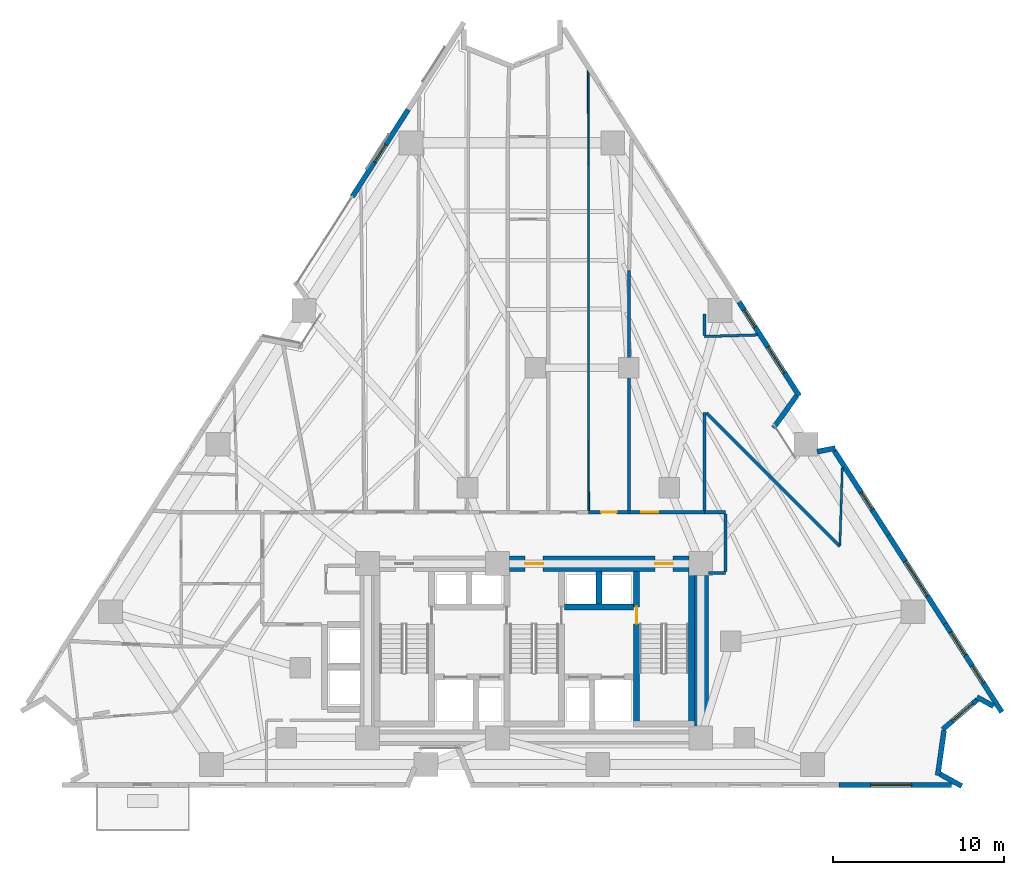
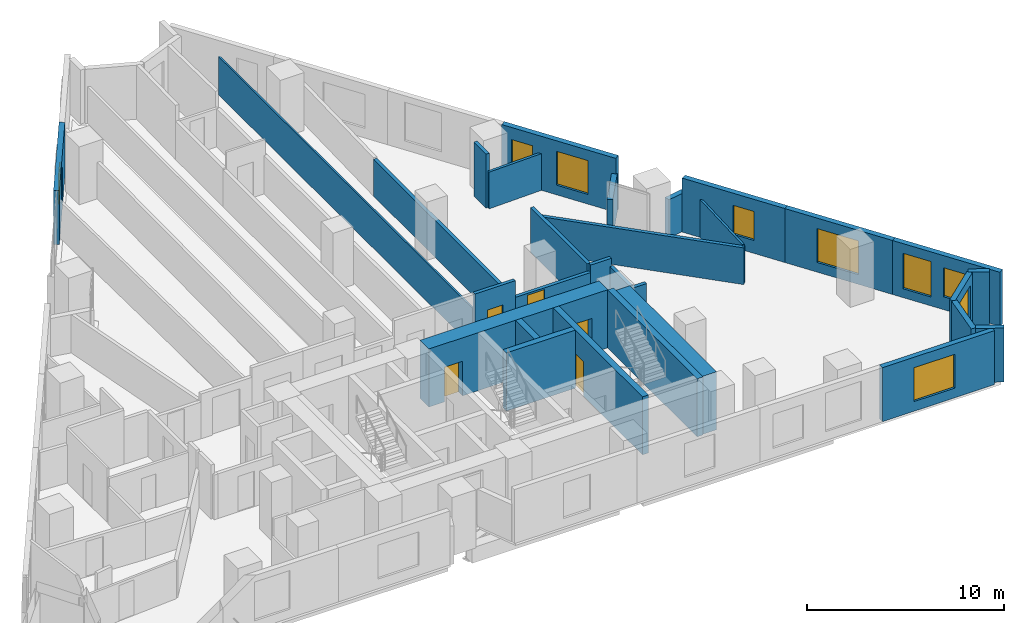
# One storey, part 10 of 15: 30 walls, 9 windows, 5 doors, 14 openings.
"""IFC4 building model written with IfcOpenShell, lengths in metres."""

from ifc_helpers import new_model, si_unit, direction, frame, frame_2d, origin, place, context, subcontext, project, spatial, rectangle, extrude, material, layer, layer_set, type_object, element, fill, save


model = new_model("IFC4")

# Units and contexts
model_context = context("Model", 3, precision=1e-05, world=origin(), true_north=direction((0.0, 1.0)))
body_context = subcontext(model_context, "Body", "Model", "MODEL_VIEW")
ifc_project = project(units=[si_unit("LENGTHUNIT", "METRE"), si_unit("AREAUNIT", "SQUARE_METRE"), si_unit("VOLUMEUNIT", "CUBIC_METRE"), si_unit("PLANEANGLEUNIT", "RADIAN"), si_unit("MASSUNIT", "GRAM", prefix="KILO")], contexts=[model_context])

# Site, building, storey
site_placement = place(None, origin())
site = spatial("IfcSite", under=ifc_project, at=site_placement, CompositionType="ELEMENT")
building_placement = place(site_placement, origin())
building = spatial("IfcBuilding", under=site, at=building_placement, Name="Almagre Mirador Tower", CompositionType="ELEMENT")
storey_placement = place(building_placement, frame((0.0, 0.0, 39.0)))
storey = spatial("IfcBuildingStorey", under=building, at=storey_placement, Name="L08", CompositionType="ELEMENT", Elevation=39.0)

# Wall, opening, window
ifc_material_1 = material(Name="Precast concrete C50/60", Category="concrete")
ifc_layer_1 = layer(ifc_material_1, 0.300048828125)
ifc_layer_set_1 = layer_set([ifc_layer_1], Name="Precast concrete C50/60")
wall_type_1 = type_object("IfcWallType", Name="WAL-EXT-300", PredefinedType="SOLIDWALL", material=ifc_layer_set_1)
wall_1_placement = place(storey_placement, frame((26.65673828125, 36.219970703125, 0.0), z_axis=(0.0, 0.0, 1.0), x_axis=(0.539506453767, 0.841981464371, 0.0)))
wall_1 = element("IfcWall", 1, at=wall_1_placement, inside=storey, type_object=wall_type_1, Name="L08 expressed almagre precast frame wall 03", PredefinedType="SOLIDWALL", context=body_context, shape_type="SweptSolid", body=[
    extrude(rectangle(XDim=6.058349609375, YDim=0.300048828125, at=frame_2d((3.029296875, 0.0))), origin(), (0.0, 0.0, 1.0), 3.35009765625),
])
opening_1_placement = place(wall_1_placement, frame((2.425048828125, 0.0, 0.800048828125)))
opening_1 = element("IfcOpeningElement", 2, at=opening_1_placement, cuts=wall_1, Name="Opening WN-04", PredefinedType="OPENING", context=body_context, shape_type="SweptSolid", body=[
    extrude(rectangle(XDim=1.199951171875, YDim=1.800048828125, at=frame_2d((0.60009765625, 0.89990234375))), frame((0.0, 0.159902, 0.0), z_axis=(0.0, -1.0, 0.0), x_axis=(1.0, 0.0, 0.0)), (0.0, 0.0, 1.0), 0.320049),
])
ifc_material_2 = material(Name="Dark solar-control laminated hurricane glass", Category="glass")
window_type_1 = type_object("IfcWindowType", Name="WIN-1200X1800", PartitioningType="SINGLE_PANEL", PredefinedType="WINDOW", material=ifc_material_2)
window_1_placement = place(opening_1_placement, origin())
window_1 = element("IfcWindow", 3, at=window_1_placement, inside=storey, type_object=window_type_1, Name="L08 recessed hurricane window L08-RST-K", OverallHeight=1.800048828125, OverallWidth=1.199951171875, PartitioningType="SINGLE_PANEL", PredefinedType="WINDOW", context=body_context, shape_type="SweptSolid", body=[
    extrude(rectangle(XDim=1.199951171875, YDim=1.800048828125, at=frame_2d((0.60009765625, 0.89990234375))), frame((0.0, 0.030029296875, 0.0), z_axis=(0.0, -1.0, 0.0), x_axis=(1.0, 0.0, 0.0)), (0.0, 0.0, 1.0), 0.06005859375),
])
fill(opening_1, window_1)

# Wall, openings, windows
wall_2_placement = place(storey_placement, frame((49.292724609375, 30.056640625, 0.0), z_axis=(0.0, 0.0, 1.0), x_axis=(0.539509050887, -0.84197980024, 0.0)))
wall_2 = element("IfcWall", 4, at=wall_2_placement, inside=storey, type_object=wall_type_1, Name="L08 expressed almagre precast frame wall 12", PredefinedType="SOLIDWALL", context=body_context, shape_type="SweptSolid", body=[
    extrude(rectangle(XDim=6.52587890625, YDim=0.300048828125, at=frame_2d((3.262939453125, 0.0))), origin(), (0.0, 0.0, 1.0), 3.35009765625),
])
opening_2_placement = place(wall_2_placement, frame((3.125, 0.0, 0.60009765625)))
opening_2 = element("IfcOpeningElement", 5, at=opening_2_placement, cuts=wall_2, Name="Opening WN-01", PredefinedType="OPENING", context=body_context, shape_type="SweptSolid", body=[
    extrude(rectangle(XDim=1.800048828125, YDim=2.10009765625, at=frame_2d((0.89990234375, 1.050048828125))), frame((0.0, 0.159902, 0.0), z_axis=(0.0, -1.0, 0.0), x_axis=(1.0, 0.0, 0.0)), (0.0, 0.0, 1.0), 0.320049),
])
opening_3_placement = place(wall_2_placement, frame((0.550048828125, 0.0, 0.800048828125)))
opening_3 = element("IfcOpeningElement", 6, at=opening_3_placement, cuts=wall_2, Name="Opening WN-04", PredefinedType="OPENING", context=body_context, shape_type="SweptSolid", body=[
    extrude(rectangle(XDim=1.199951171875, YDim=1.800048828125, at=frame_2d((0.60009765625, 0.89990234375))), frame((0.0, 0.159902, 0.0), z_axis=(0.0, -1.0, 0.0), x_axis=(1.0, 0.0, 0.0)), (0.0, 0.0, 1.0), 0.320049),
])
window_2_placement = place(opening_3_placement, origin())
window_2 = element("IfcWindow", 7, at=window_2_placement, inside=storey, type_object=window_type_1, Name="L08 recessed hurricane window L08-UJ-BT", OverallHeight=1.800048828125, OverallWidth=1.199951171875, PartitioningType="SINGLE_PANEL", PredefinedType="WINDOW", context=body_context, shape_type="SweptSolid", body=[
    extrude(rectangle(XDim=1.199951171875, YDim=1.800048828125, at=frame_2d((0.60009765625, 0.89990234375))), frame((0.0, 0.030029296875, 0.0), z_axis=(0.0, -1.0, 0.0), x_axis=(1.0, 0.0, 0.0)), (0.0, 0.0, 1.0), 0.06005859375),
])
fill(opening_3, window_2)
ifc_material_3 = material(Name="Dark solar-control laminated hurricane glass", Category="glass")
window_type_2 = type_object("IfcWindowType", Name="WIN-1800X2100", PartitioningType="DOUBLE_PANEL_VERTICAL", PredefinedType="WINDOW", material=ifc_material_3)
window_3_placement = place(opening_2_placement, origin())
window_3 = element("IfcWindow", 8, at=window_3_placement, inside=storey, type_object=window_type_2, Name="L08 recessed hurricane window L08-UJ-ST", OverallHeight=2.10009765625, OverallWidth=1.800048828125, PartitioningType="SINGLE_PANEL", PredefinedType="WINDOW", context=body_context, shape_type="SweptSolid", body=[
    extrude(rectangle(XDim=1.800048828125, YDim=2.10009765625, at=frame_2d((0.89990234375, 1.050048828125))), frame((0.0, 0.030029296875, 0.0), z_axis=(0.0, -1.0, 0.0), x_axis=(1.0, 0.0, 0.0)), (0.0, 0.0, 1.0), 0.06005859375),
])
fill(opening_2, window_3)

# Walls
wall_3_placement = place(storey_placement, frame((52.656494140625, 24.566162109375, 0.0), z_axis=(0.0, 0.0, 1.0), x_axis=(-0.583053244013, -0.812433944789, 0.0)))
element("IfcWall", 9, at=wall_3_placement, inside=storey, type_object=wall_type_1, Name="L08 expressed almagre precast frame wall 13", PredefinedType="SOLIDWALL", context=body_context, shape_type="SweptSolid", body=[
    extrude(rectangle(XDim=2.31396484375, YDim=0.300048828125, at=frame_2d((1.156982421875, 0.0))), origin(), (0.0, 0.0, 1.0), 2.375),
])
wall_4_placement = place(storey_placement, frame((53.864013671875, 21.302001953125, 0.0), z_axis=(0.0, 0.0, 1.0), x_axis=(0.981752657473, 0.190162350493, 0.0)))
element("IfcWall", 10, at=wall_4_placement, inside=storey, type_object=wall_type_1, Name="L08 expressed almagre precast frame wall 14", PredefinedType="SOLIDWALL", context=body_context, shape_type="SweptSolid", body=[
    extrude(rectangle(XDim=1.0810546875, YDim=0.300048828125, at=frame_2d((0.54052734375, 0.0))), origin(), (0.0, 0.0, 1.0), 2.375),
])

# Wall, opening, window
wall_5_placement = place(storey_placement, frame((54.863525390625, 21.363037109375, 0.0), z_axis=(0.0, 0.0, 1.0), x_axis=(0.539525561028, -0.841969220932, 0.0)))
wall_5 = element("IfcWall", 11, at=wall_5_placement, inside=storey, type_object=wall_type_1, Name="L08 expressed almagre precast frame wall 15", PredefinedType="SOLIDWALL", context=body_context, shape_type="SweptSolid", body=[
    extrude(rectangle(XDim=5.871826171875, YDim=0.300048828125, at=frame_2d((2.93603515625, 0.0))), origin(), (0.0, 0.0, 1.0), 3.35009765625),
])
opening_4_placement = place(wall_5_placement, frame((2.89501953125, 0.0, 0.800048828125)))
opening_4 = element("IfcOpeningElement", 12, at=opening_4_placement, cuts=wall_5, Name="Opening WN-04", PredefinedType="OPENING", context=body_context, shape_type="SweptSolid", body=[
    extrude(rectangle(XDim=1.199951171875, YDim=1.800048828125, at=frame_2d((0.60009765625, 0.89990234375))), frame((0.0, 0.159902, 0.0), z_axis=(0.0, -1.0, 0.0), x_axis=(1.0, 0.0, 0.0)), (0.0, 0.0, 1.0), 0.320049),
])
window_4_placement = place(opening_4_placement, origin())
window_4 = element("IfcWindow", 13, at=window_4_placement, inside=storey, type_object=window_type_1, Name="L08 recessed hurricane window L08-UJ-KT", OverallHeight=1.800048828125, OverallWidth=1.199951171875, PartitioningType="SINGLE_PANEL", PredefinedType="WINDOW", context=body_context, shape_type="SweptSolid", body=[
    extrude(rectangle(XDim=1.199951171875, YDim=1.800048828125, at=frame_2d((0.60009765625, 0.89990234375))), frame((0.0, 0.030029296875, 0.0), z_axis=(0.0, -1.0, 0.0), x_axis=(1.0, 0.0, 0.0)), (0.0, 0.0, 1.0), 0.06005859375),
])
fill(opening_4, window_4)

wall_6_placement = place(storey_placement, frame((58.031494140625, 16.419189453125, 0.0), z_axis=(0.0, 0.0, 1.0), x_axis=(0.539543497538, -0.841957727125, 0.0)))
wall_6 = element("IfcWall", 14, at=wall_6_placement, inside=storey, type_object=wall_type_1, Name="L08 expressed almagre precast frame wall 16", PredefinedType="SOLIDWALL", context=body_context, shape_type="SweptSolid", body=[
    extrude(rectangle(XDim=6.151611328125, YDim=0.300048828125, at=frame_2d((3.07568359375, 0.0))), origin(), (0.0, 0.0, 1.0), 3.35009765625),
])
opening_5_placement = place(wall_6_placement, frame((1.824951171875, 0.0, 0.60009765625)))
opening_5 = element("IfcOpeningElement", 15, at=opening_5_placement, cuts=wall_6, Name="Opening WN-02", PredefinedType="OPENING", context=body_context, shape_type="SweptSolid", body=[
    extrude(rectangle(XDim=2.39990234375, YDim=2.10009765625, at=frame_2d((1.199951171875, 1.050048828125))), frame((0.0, 0.159902, 0.0), z_axis=(0.0, -1.0, 0.0), x_axis=(1.0, 0.0, 0.0)), (0.0, 0.0, 1.0), 0.320049),
])
ifc_material_4 = material(Name="Dark solar-control laminated hurricane glass", Category="glass")
window_type_3 = type_object("IfcWindowType", Name="WIN-2400X2100", PartitioningType="TRIPLE_PANEL_VERTICAL", PredefinedType="WINDOW", material=ifc_material_4)
window_5_placement = place(opening_5_placement, origin())
window_5 = element("IfcWindow", 16, at=window_5_placement, inside=storey, type_object=window_type_3, Name="L08 recessed hurricane window L08-UJ-KT", OverallHeight=2.10009765625, OverallWidth=2.39990234375, PartitioningType="SINGLE_PANEL", PredefinedType="WINDOW", context=body_context, shape_type="SweptSolid", body=[
    extrude(rectangle(XDim=2.39990234375, YDim=2.10009765625, at=frame_2d((1.199951171875, 1.050048828125))), frame((0.0, 0.030029296875, 0.0), z_axis=(0.0, -1.0, 0.0), x_axis=(1.0, 0.0, 0.0)), (0.0, 0.0, 1.0), 0.06005859375),
])
fill(opening_5, window_5)

# Wall, openings, windows
wall_7_placement = place(storey_placement, frame((61.3505859375, 11.23974609375, 0.0), z_axis=(0.0, 0.0, 1.0), x_axis=(0.539497334835, -0.841987307331, 0.0)))
wall_7 = element("IfcWall", 17, at=wall_7_placement, inside=storey, type_object=wall_type_1, Name="L08 expressed almagre precast frame wall 17", PredefinedType="SOLIDWALL", context=body_context, shape_type="SweptSolid", body=[
    extrude(rectangle(XDim=6.15185546875, YDim=0.300048828125, at=frame_2d((3.075927734375, 0.0))), origin(), (0.0, 0.0, 1.0), 3.35009765625),
])
opening_6_placement = place(wall_7_placement, frame((2.925048828125, 0.0, 0.800048828125)))
opening_6 = element("IfcOpeningElement", 18, at=opening_6_placement, cuts=wall_7, Name="Opening WN-04", PredefinedType="OPENING", context=body_context, shape_type="SweptSolid", body=[
    extrude(rectangle(XDim=1.199951171875, YDim=1.800048828125, at=frame_2d((0.60009765625, 0.89990234375))), frame((0.0, 0.159902, 0.0), z_axis=(0.0, -1.0, 0.0), x_axis=(1.0, 0.0, 0.0)), (0.0, 0.0, 1.0), 0.320049),
])
opening_7_placement = place(wall_7_placement, frame((0.60009765625, 0.0, 0.550048828125)))
opening_7 = element("IfcOpeningElement", 19, at=opening_7_placement, cuts=wall_7, Name="Opening WN-06", PredefinedType="OPENING", context=body_context, shape_type="SweptSolid", body=[
    extrude(rectangle(XDim=1.60009765625, YDim=2.199951171875, at=frame_2d((0.800048828125, 1.10009765625))), frame((0.0, 0.159902, 0.0), z_axis=(0.0, -1.0, 0.0), x_axis=(1.0, 0.0, 0.0)), (0.0, 0.0, 1.0), 0.320049),
])
window_6_placement = place(opening_6_placement, origin())
window_6 = element("IfcWindow", 20, at=window_6_placement, inside=storey, type_object=window_type_1, Name="L08 recessed hurricane window L08-RST-F", OverallHeight=1.800048828125, OverallWidth=1.199951171875, PartitioningType="SINGLE_PANEL", PredefinedType="WINDOW", context=body_context, shape_type="SweptSolid", body=[
    extrude(rectangle(XDim=1.199951171875, YDim=1.800048828125, at=frame_2d((0.60009765625, 0.89990234375))), frame((0.0, 0.030029296875, 0.0), z_axis=(0.0, -1.0, 0.0), x_axis=(1.0, 0.0, 0.0)), (0.0, 0.0, 1.0), 0.06005859375),
])
fill(opening_6, window_6)
ifc_material_5 = material(Name="Dark solar-control laminated hurricane glass", Category="glass")
window_type_4 = type_object("IfcWindowType", Name="WIN-1600X2200", PartitioningType="DOUBLE_PANEL_VERTICAL", PredefinedType="WINDOW", material=ifc_material_5)
window_7_placement = place(opening_7_placement, origin())
window_7 = element("IfcWindow", 21, at=window_7_placement, inside=storey, type_object=window_type_4, Name="L08 recessed hurricane window L08-UJ-KT", OverallHeight=2.199951171875, OverallWidth=1.60009765625, PartitioningType="SINGLE_PANEL", PredefinedType="WINDOW", context=body_context, shape_type="SweptSolid", body=[
    extrude(rectangle(XDim=1.60009765625, YDim=2.199951171875, at=frame_2d((0.800048828125, 1.10009765625))), frame((0.0, 0.030029296875, 0.0), z_axis=(0.0, -1.0, 0.0), x_axis=(1.0, 0.0, 0.0)), (0.0, 0.0, 1.0), 0.06005859375),
])
fill(opening_7, window_7)

# Wall
wall_8_placement = place(storey_placement, frame((64.17724609375, 6.406005859375, 0.0), z_axis=(0.0, 0.0, 1.0), x_axis=(-0.877235899632, 0.480059555052, 0.0)))
element("IfcWall", 22, at=wall_8_placement, inside=storey, type_object=wall_type_1, Name="L08 expressed almagre precast frame wall 18", PredefinedType="SOLIDWALL", context=body_context, shape_type="SweptSolid", body=[
    extrude(rectangle(XDim=1.1044921875, YDim=0.300048828125, at=frame_2d((0.55224609375, 0.0))), origin(), (0.0, 0.0, 1.0), 3.35009765625),
])

# Wall, opening, window
wall_9_placement = place(storey_placement, frame((63.224853515625, 6.77783203125, 0.0), z_axis=(0.0, 0.0, 1.0), x_axis=(-0.758681082232, -0.651462213381, 0.0)))
wall_9 = element("IfcWall", 23, at=wall_9_placement, inside=storey, type_object=wall_type_1, Name="L08 expressed almagre precast frame wall 19", PredefinedType="SOLIDWALL", context=body_context, shape_type="SweptSolid", body=[
    extrude(rectangle(XDim=2.66650390625, YDim=0.300048828125, at=frame_2d((1.333251953125, 0.0))), origin(), (0.0, 0.0, 1.0), 3.35009765625),
])
opening_8_placement = place(wall_9_placement, frame((0.320068359375, 0.0, 0.550048828125)))
opening_8 = element("IfcOpeningElement", 24, at=opening_8_placement, cuts=wall_9, Name="Opening WN-06", PredefinedType="OPENING", context=body_context, shape_type="SweptSolid", body=[
    extrude(rectangle(XDim=1.60009765625, YDim=2.199951171875, at=frame_2d((0.800048828125, 1.10009765625))), frame((0.0, 0.159902, 0.0), z_axis=(0.0, -1.0, 0.0), x_axis=(1.0, 0.0, 0.0)), (0.0, 0.0, 1.0), 0.320049),
])
window_8_placement = place(opening_8_placement, origin())
window_8 = element("IfcWindow", 25, at=window_8_placement, inside=storey, type_object=window_type_4, Name="L08 recessed hurricane window L08-RST-F", OverallHeight=2.199951171875, OverallWidth=1.60009765625, PartitioningType="SINGLE_PANEL", PredefinedType="WINDOW", context=body_context, shape_type="SweptSolid", body=[
    extrude(rectangle(XDim=1.60009765625, YDim=2.199951171875, at=frame_2d((0.800048828125, 1.10009765625))), frame((0.0, 0.030029296875, 0.0), z_axis=(0.0, -1.0, 0.0), x_axis=(1.0, 0.0, 0.0)), (0.0, 0.0, 1.0), 0.06005859375),
])
fill(opening_8, window_8)

# Walls
wall_10_placement = place(storey_placement, frame((61.287109375, 4.9833984375, 0.0), z_axis=(0.0, 0.0, 1.0), x_axis=(-0.139118263158, -0.990275774144, 0.0)))
element("IfcWall", 26, at=wall_10_placement, inside=storey, type_object=wall_type_1, Name="L08 expressed almagre precast frame wall 20", PredefinedType="SOLIDWALL", context=body_context, shape_type="SweptSolid", body=[
    extrude(rectangle(XDim=2.656982421875, YDim=0.300048828125, at=frame_2d((1.32861328125, 0.0))), origin(), (0.0, 0.0, 1.0), 3.35009765625),
])
wall_11_placement = place(storey_placement, frame((61.055419921875, 2.42626953125, 0.0), z_axis=(0.0, 0.0, 1.0), x_axis=(0.877287752989, -0.479964788767, 0.0)))
element("IfcWall", 27, at=wall_11_placement, inside=storey, type_object=wall_type_1, Name="L08 expressed almagre precast frame wall 21", PredefinedType="SOLIDWALL", context=body_context, shape_type="SweptSolid", body=[
    extrude(rectangle(XDim=1.444580078125, YDim=0.300048828125, at=frame_2d((0.72216796875, 0.0))), origin(), (0.0, 0.0, 1.0), 3.35009765625),
])

# Wall, opening, window
wall_12_placement = place(storey_placement, frame((61.72998046875, 1.800048828125, 0.0), z_axis=(0.0, 0.0, 1.0), x_axis=(-1.0, 0.0, 0.0)))
wall_12 = element("IfcWall", 28, at=wall_12_placement, inside=storey, type_object=wall_type_1, Name="L08 expressed almagre precast frame wall 22", PredefinedType="SOLIDWALL", context=body_context, shape_type="SweptSolid", body=[
    extrude(rectangle(XDim=6.5830078125, YDim=0.300048828125, at=frame_2d((3.29150390625, 0.0))), origin(), (0.0, 0.0, 1.0), 3.35009765625),
])
opening_9_placement = place(wall_12_placement, frame((2.340087890625, 0.0, 0.60009765625)))
opening_9 = element("IfcOpeningElement", 29, at=opening_9_placement, cuts=wall_12, Name="Opening WN-02", PredefinedType="OPENING", context=body_context, shape_type="SweptSolid", body=[
    extrude(rectangle(XDim=2.39990234375, YDim=2.10009765625, at=frame_2d((1.199951171875, 1.050048828125))), frame((0.0, 0.159902, 0.0), z_axis=(0.0, -1.0, 0.0), x_axis=(1.0, 0.0, 0.0)), (0.0, 0.0, 1.0), 0.320049),
])
window_9_placement = place(opening_9_placement, origin())
window_9 = element("IfcWindow", 30, at=window_9_placement, inside=storey, type_object=window_type_3, Name="L08 recessed hurricane window L08-RST-D", OverallHeight=2.10009765625, OverallWidth=2.39990234375, PartitioningType="SINGLE_PANEL", PredefinedType="WINDOW", context=body_context, shape_type="SweptSolid", body=[
    extrude(rectangle(XDim=2.39990234375, YDim=2.10009765625, at=frame_2d((1.199951171875, 1.050048828125))), frame((0.0, 0.030029296875, 0.0), z_axis=(0.0, -1.0, 0.0), x_axis=(1.0, 0.0, 0.0)), (0.0, 0.0, 1.0), 0.06005859375),
])
fill(opening_9, window_9)

# Walls
ifc_material_6 = material(Name="Gypsum acoustic stud partition", Category="other")
ifc_layer_2 = layer(ifc_material_6, 0.10009765625)
ifc_layer_set_2 = layer_set([ifc_layer_2], Name="Gypsum acoustic stud partition")
wall_type_2 = type_object("IfcWallType", Name="WAL-PRT-100-CLS", PredefinedType="PARTITIONING", material=ifc_layer_set_2)
wall_13_placement = place(storey_placement, frame((40.48974609375, 17.8349609375, 0.0), z_axis=(0.0, 0.0, 1.0), x_axis=(-0.000767321348, 0.999999705609, 0.0)))
element("IfcWall", 31, at=wall_13_placement, inside=storey, type_object=wall_type_2, Name="L08 interior partition 062", PredefinedType="PARTITIONING", context=body_context, shape_type="SweptSolid", body=[
    extrude(rectangle(XDim=25.77197265625, YDim=0.10009765625, at=frame_2d((12.885986328125, 0.0))), origin(), (0.0, 0.0, 1.0), 2.3701171875),
])
ifc_material_7 = material(Name="Gypsum acoustic stud partition", Category="other")
ifc_layer_3 = layer(ifc_material_7, 0.125)
ifc_layer_set_3 = layer_set([ifc_layer_3], Name="Gypsum acoustic stud partition")
wall_type_3 = type_object("IfcWallType", Name="WAL-PRT-125-UTL", PredefinedType="PARTITIONING", material=ifc_layer_set_3)
wall_14_placement = place(storey_placement, frame((55.192138671875, 15.844970703125, 0.0), z_axis=(0.0, 0.0, 1.0), x_axis=(0.031449581736, 0.99950533956, 0.0)))
element("IfcWall", 32, at=wall_14_placement, inside=storey, type_object=wall_type_3, Name="L08 interior partition 047", PredefinedType="PARTITIONING", context=body_context, shape_type="SweptSolid", body=[
    extrude(rectangle(XDim=4.541259765625, YDim=0.125, at=frame_2d((2.2705078125, 0.0))), origin(), (0.0, 0.0, 1.0), 2.3701171875),
])
ifc_material_8 = material(Name="Gypsum acoustic stud partition", Category="other")
ifc_layer_4 = layer(ifc_material_8, 0.14990234375)
ifc_layer_set_4 = layer_set([ifc_layer_4], Name="Gypsum acoustic stud partition")
wall_type_4 = type_object("IfcWallType", Name="WAL-PRT-150-STD", PredefinedType="PARTITIONING", material=ifc_layer_set_4)
wall_15_placement = place(storey_placement, frame((50.385009765625, 28.134033203125, 0.0), z_axis=(0.0, 0.0, 1.0), x_axis=(-0.999545052024, -0.030161050633, 0.0)))
element("IfcWall", 33, at=wall_15_placement, inside=storey, type_object=wall_type_4, Name="L08 interior partition 048", PredefinedType="PARTITIONING", context=body_context, shape_type="SweptSolid", body=[
    extrude(rectangle(XDim=3.116455078125, YDim=0.14990234375, at=frame_2d((1.55810546875, 0.0))), origin(), (0.0, 0.0, 1.0), 2.279052734375),
])
ifc_material_9 = material(Name="Gypsum acoustic stud partition", Category="other")
ifc_layer_5 = layer(ifc_material_9, 0.199951171875)
ifc_layer_set_5 = layer_set([ifc_layer_5], Name="Gypsum acoustic stud partition")
wall_type_5 = type_object("IfcWallType", Name="WAL-PRT-200-EI60", PredefinedType="PARTITIONING", material=ifc_layer_set_5)
wall_16_placement = place(storey_placement, frame((47.5, 14.199951171875, 0.0), z_axis=(0.0, 0.0, 1.0), x_axis=(1.0, 0.0, 0.0)))
element("IfcWall", 34, at=wall_16_placement, inside=storey, type_object=wall_type_5, Name="L08 interior partition 004", PredefinedType="PARTITIONING", context=body_context, shape_type="SweptSolid", body=[
    extrude(rectangle(XDim=1.0, YDim=0.199951171875, at=frame_2d((0.5, 0.0))), origin(), (0.0, 0.0, 1.0), 3.35009765625),
])
wall_17_placement = place(storey_placement, frame((48.5, 17.75, 0.0), z_axis=(0.0, 0.0, 1.0), x_axis=(-1.0, 0.0, 0.0)))
element("IfcWall", 35, at=wall_17_placement, inside=storey, type_object=wall_type_5, Name="L08 interior partition 010", PredefinedType="PARTITIONING", context=body_context, shape_type="SweptSolid", body=[
    extrude(rectangle(XDim=1.22998046875, YDim=0.199951171875, at=frame_2d((0.614990234375, 0.0))), origin(), (0.0, 0.0, 1.0), 2.77099609375),
])

# Wall, opening, door
wall_18_placement = place(storey_placement, frame((42.85009765625, 17.75, 0.0), z_axis=(0.0, 0.0, 1.0), x_axis=(-1.0, 0.0, 0.0)))
wall_18 = element("IfcWall", 36, at=wall_18_placement, inside=storey, type_object=wall_type_5, Name="L08 interior partition 018", PredefinedType="PARTITIONING", context=body_context, shape_type="SweptSolid", body=[
    extrude(rectangle(XDim=2.360107421875, YDim=0.199951171875, at=frame_2d((1.18017578125, 0.0))), origin(), (0.0, 0.0, 1.0), 3.35009765625),
])
opening_10_placement = place(wall_18_placement, frame((0.72998046875, 0.0, 0.0)))
opening_10 = element("IfcOpeningElement", 37, at=opening_10_placement, cuts=wall_18, Name="Opening ID-03", PredefinedType="OPENING", context=body_context, shape_type="SweptSolid", body=[
    extrude(rectangle(XDim=0.89990234375, YDim=2.10009765625, at=frame_2d((0.449951171875, 1.050048828125))), frame((0.0, 0.110098, 0.0), z_axis=(0.0, -1.0, 0.0), x_axis=(1.0, 0.0, 0.0)), (0.0, 0.0, 1.0), 0.219951),
])
ifc_material_10 = material(Name="Fire-rated hollow steel", Category="steel")
door_type_1 = type_object("IfcDoorType", Name="DOR-FD60-900X2100", OperationType="NOTDEFINED", PredefinedType="DOOR", material=ifc_material_10)
door_1_placement = place(opening_10_placement, origin())
door_1 = element("IfcDoor", 38, at=door_1_placement, inside=storey, type_object=door_type_1, Name="DR-0244 L08 interior door L08-RCOR to L08-RST-A", OperationType="SINGLE_SWING_RIGHT", OverallHeight=2.10009765625, OverallWidth=0.89990234375, PredefinedType="DOOR", context=body_context, shape_type="SweptSolid", body=[
    extrude(rectangle(XDim=0.89990234375, YDim=2.10009765625, at=frame_2d((0.449951171875, 1.050048828125))), frame((0.0, 0.02490234375, 0.0), z_axis=(0.0, -1.0, 0.0), x_axis=(1.0, 0.0, 0.0)), (0.0, 0.0, 1.0), 0.050048828125),
])
fill(opening_10, door_1)

wall_19_placement = place(storey_placement, frame((47.27001953125, 17.75, 0.0), z_axis=(0.0, 0.0, 1.0), x_axis=(-1.0, 0.0, 0.0)))
wall_19 = element("IfcWall", 39, at=wall_19_placement, inside=storey, type_object=wall_type_5, Name="L08 interior partition 019", PredefinedType="PARTITIONING", context=body_context, shape_type="SweptSolid", body=[
    extrude(rectangle(XDim=4.419921875, YDim=0.199951171875, at=frame_2d((2.2099609375, 0.0))), origin(), (0.0, 0.0, 1.0), 2.30908203125),
])
opening_11_placement = place(wall_19_placement, frame((2.698486328125, 0.0, 0.0)))
opening_11 = element("IfcOpeningElement", 40, at=opening_11_placement, cuts=wall_19, Name="Opening ID-01", PredefinedType="OPENING", context=body_context, shape_type="SweptSolid", body=[
    extrude(rectangle(XDim=1.0, YDim=2.199951171875, at=frame_2d((0.5, 1.10009765625))), frame((0.0, 0.110098, 0.0), z_axis=(0.0, -1.0, 0.0), x_axis=(1.0, 0.0, 0.0)), (0.0, 0.0, 1.0), 0.219951),
])
ifc_material_11 = material(Name="Fire-rated walnut timber", Category="wood")
door_type_2 = type_object("IfcDoorType", Name="DOR-FD60-1000X2200", OperationType="NOTDEFINED", PredefinedType="DOOR", material=ifc_material_11)
door_2_placement = place(opening_11_placement, origin())
door_2 = element("IfcDoor", 41, at=door_2_placement, inside=storey, type_object=door_type_2, Name="DR-0251 L08 interior door L08-RCOR to L08-UB-ST-2", OperationType="SINGLE_SWING_RIGHT", OverallHeight=2.199951171875, OverallWidth=1.0, PredefinedType="DOOR", context=body_context, shape_type="SweptSolid", body=[
    extrude(rectangle(XDim=1.0, YDim=2.199951171875, at=frame_2d((0.5, 1.10009765625))), frame((0.0, 0.02490234375, 0.0), z_axis=(0.0, -1.0, 0.0), x_axis=(1.0, 0.0, 0.0)), (0.0, 0.0, 1.0), 0.050048828125),
])
fill(opening_11, door_2)

# Walls
wall_20_placement = place(storey_placement, frame((55.18994140625, 15.760009765625, 0.0), z_axis=(0.0, 0.0, 1.0), x_axis=(-0.707106781187, 0.707106781187, 0.0)))
element("IfcWall", 42, at=wall_20_placement, inside=storey, type_object=wall_type_5, Name="L08 interior partition 039", PredefinedType="PARTITIONING", context=body_context, shape_type="SweptSolid", body=[
    extrude(rectangle(XDim=11.04052734375, YDim=0.199951171875, at=frame_2d((5.520263671875, 0.0))), origin(), (0.0, 0.0, 1.0), 2.279052734375),
])
wall_21_placement = place(storey_placement, frame((47.27001953125, 23.594970703125, 0.0), z_axis=(0.0, 0.0, 1.0), x_axis=(0.0, -1.0, 0.0)))
element("IfcWall", 43, at=wall_21_placement, inside=storey, type_object=wall_type_5, Name="L08 interior partition 041", PredefinedType="PARTITIONING", context=body_context, shape_type="SweptSolid", body=[
    extrude(rectangle(XDim=5.760009765625, YDim=0.199951171875, at=frame_2d((2.8798828125, 0.0))), origin(), (0.0, 0.0, 1.0), 2.77099609375),
])
wall_22_placement = place(storey_placement, frame((47.27001953125, 29.35009765625, 0.0), z_axis=(0.0, 0.0, 1.0), x_axis=(0.0, -1.0, 0.0)))
element("IfcWall", 44, at=wall_22_placement, inside=storey, type_object=wall_type_5, Name="L08 interior partition 050", PredefinedType="PARTITIONING", context=body_context, shape_type="SweptSolid", body=[
    extrude(rectangle(XDim=1.25, YDim=0.199951171875, at=frame_2d((0.625, 0.0))), origin(), (0.0, 0.0, 1.0), 3.35009765625),
])
wall_23_placement = place(storey_placement, frame((42.85009765625, 17.8349609375, 0.0), z_axis=(0.0, 0.0, 1.0), x_axis=(0.0, 1.0, 0.0)))
element("IfcWall", 45, at=wall_23_placement, inside=storey, type_object=wall_type_5, Name="L08 interior partition 063", PredefinedType="PARTITIONING", context=body_context, shape_type="SweptSolid", body=[
    extrude(rectangle(XDim=14.054931640625, YDim=0.199951171875, at=frame_2d((7.02734375, 0.0))), origin(), (0.0, 0.0, 1.0), 2.279052734375),
])
wall_24_placement = place(storey_placement, frame((48.5, 14.284912109375, 0.0), z_axis=(0.0, 0.0, 1.0), x_axis=(0.0, 1.0, 0.0)))
element("IfcWall", 46, at=wall_24_placement, inside=storey, type_object=wall_type_5, Name="L08 interior partition 068", PredefinedType="PARTITIONING", context=body_context, shape_type="SweptSolid", body=[
    extrude(rectangle(XDim=3.380126953125, YDim=0.199951171875, at=frame_2d((1.68994140625, 0.0))), origin(), (0.0, 0.0, 1.0), 2.279052734375),
])

# Wall, opening, door
ifc_material_12 = material(Name="Concrete C60/75", Category="concrete")
ifc_layer_6 = layer(ifc_material_12, 0.35009765625)
ifc_layer_set_6 = layer_set([ifc_layer_6], Name="Concrete C60/75")
wall_type_6 = type_object("IfcWallType", Name="WAL-SHF-350", PredefinedType="SOLIDWALL", material=ifc_layer_set_6)
wall_25_placement = place(storey_placement, frame((43.300048828125, 5.199951171875, 0.0), z_axis=(0.0, 0.0, 1.0), x_axis=(0.0, 1.0, 0.0)))
wall_25 = element("IfcWall", 47, at=wall_25_placement, inside=storey, type_object=wall_type_6, Name="L08 shaft wall ST3-W", PredefinedType="SOLIDWALL", context=body_context, shape_type="SweptSolid", body=[
    extrude(rectangle(XDim=9.10009765625, YDim=0.35009765625, at=frame_2d((4.550048828125, 0.0))), origin(), (0.0, 0.0, 1.0), 3.60009765625),
])
opening_12_placement = place(wall_25_placement, frame((6.02001953125, 0.0, 0.0)))
opening_12 = element("IfcOpeningElement", 48, at=opening_12_placement, cuts=wall_25, Name="Opening FD-01", PredefinedType="OPENING", context=body_context, shape_type="SweptSolid", body=[
    extrude(rectangle(XDim=1.0, YDim=2.14990234375, at=frame_2d((0.5, 1.074951171875))), frame((0.0, 0.185049, 0.0), z_axis=(0.0, -1.0, 0.0), x_axis=(1.0, 0.0, 0.0)), (0.0, 0.0, 1.0), 0.370098),
])
ifc_material_13 = material(Name="Fire-rated hollow steel", Category="steel")
door_type_3 = type_object("IfcDoorType", Name="DOR-FFL-1000X2150", OperationType="NOTDEFINED", PredefinedType="DOOR", material=ifc_material_13)
door_3_placement = place(opening_12_placement, origin())
door_3 = element("IfcDoor", 49, at=door_3_placement, inside=storey, type_object=door_type_3, Name="DR-0243 L08 FFL2-ST3 smokeproof door", OperationType="SINGLE_SWING_RIGHT", OverallHeight=2.14990234375, OverallWidth=1.0, PredefinedType="DOOR", context=body_context, shape_type="SweptSolid", body=[
    extrude(rectangle(XDim=1.0, YDim=2.14990234375, at=frame_2d((0.5, 1.074951171875))), frame((0.0, 0.02490234375, 0.0), z_axis=(0.0, -1.0, 0.0), x_axis=(1.0, 0.0, 0.0)), (0.0, 0.0, 1.0), 0.050048828125),
])
fill(opening_12, door_3)

# Walls
wall_26_placement = place(storey_placement, frame((46.5, 5.199951171875, 0.0), z_axis=(0.0, 0.0, 1.0), x_axis=(0.0, 1.0, 0.0)))
element("IfcWall", 50, at=wall_26_placement, inside=storey, type_object=wall_type_6, Name="L08 shaft wall ST3-E", PredefinedType="SOLIDWALL", context=body_context, shape_type="SweptSolid", body=[
    extrude(rectangle(XDim=9.10009765625, YDim=0.35009765625, at=frame_2d((4.550048828125, 0.0))), origin(), (0.0, 0.0, 1.0), 3.60009765625),
])
wall_27_placement = place(storey_placement, frame((39.074951171875, 12.199951171875, 0.0), z_axis=(0.0, 0.0, 1.0), x_axis=(1.0, 0.0, 0.0)))
element("IfcWall", 51, at=wall_27_placement, inside=storey, type_object=wall_type_6, Name="L08 shaft wall PLH-S", PredefinedType="SOLIDWALL", context=body_context, shape_type="SweptSolid", body=[
    extrude(rectangle(XDim=4.050048828125, YDim=0.35009765625, at=frame_2d((2.02490234375, 0.0))), origin(), (0.0, 0.0, 1.0), 3.60009765625),
])
wall_28_placement = place(storey_placement, frame((41.10009765625, 12.375, 0.0), z_axis=(0.0, 0.0, 1.0), x_axis=(0.0, 1.0, 0.0)))
element("IfcWall", 52, at=wall_28_placement, inside=storey, type_object=wall_type_6, Name="L08 shaft wall PLH-M", PredefinedType="SOLIDWALL", context=body_context, shape_type="SweptSolid", body=[
    extrude(rectangle(XDim=1.925048828125, YDim=0.35009765625, at=frame_2d((0.96240234375, 0.0))), origin(), (0.0, 0.0, 1.0), 3.60009765625),
])

# Wall, openings, doors
ifc_material_14 = material(Name="Concrete C70/85", Category="concrete")
ifc_layer_7 = layer(ifc_material_14, 0.89990234375)
ifc_layer_set_7 = layer_set([ifc_layer_7], Name="Concrete C70/85")
wall_type_7 = type_object("IfcWallType", Name="WAL-SHR-900", PredefinedType="SHEAR", material=ifc_layer_set_7)
wall_29_placement = place(storey_placement, frame((35.85009765625, 14.75, 0.0), z_axis=(0.0, 0.0, 1.0), x_axis=(1.0, 0.0, 0.0)))
wall_29 = element("IfcWall", 53, at=wall_29_placement, inside=storey, type_object=wall_type_7, Name="L08 core shear wall N2", PredefinedType="SHEAR", context=body_context, shape_type="SweptSolid", body=[
    extrude(rectangle(XDim=10.5, YDim=0.89990234375, at=frame_2d((5.25, 0.0))), origin(), (0.0, 0.0, 1.0), 3.60009765625),
])
opening_13_placement = place(wall_29_placement, frame((0.925048828125, 0.0, 0.0)))
opening_13 = element("IfcOpeningElement", 54, at=opening_13_placement, cuts=wall_29, Name="Opening SD-01", PredefinedType="OPENING", context=body_context, shape_type="SweptSolid", body=[
    extrude(rectangle(XDim=1.050048828125, YDim=2.14990234375, at=frame_2d((0.52490234375, 1.074951171875))), frame((0.0, 0.459951, 0.0), z_axis=(0.0, -1.0, 0.0), x_axis=(1.0, 0.0, 0.0)), (0.0, 0.0, 1.0), 0.919902),
])
opening_14_placement = place(wall_29_placement, frame((8.52490234375, 0.0, 0.0)))
opening_14 = element("IfcOpeningElement", 55, at=opening_14_placement, cuts=wall_29, Name="Opening SD-01", PredefinedType="OPENING", context=body_context, shape_type="SweptSolid", body=[
    extrude(rectangle(XDim=1.050048828125, YDim=2.14990234375, at=frame_2d((0.52490234375, 1.074951171875))), frame((0.0, 0.459951, 0.0), z_axis=(0.0, -1.0, 0.0), x_axis=(1.0, 0.0, 0.0)), (0.0, 0.0, 1.0), 0.919902),
])
ifc_material_15 = material(Name="Fire-rated hollow steel", Category="steel")
door_type_4 = type_object("IfcDoorType", Name="DOR-ST-1050X2150", OperationType="NOTDEFINED", PredefinedType="DOOR", material=ifc_material_15)
door_4_placement = place(opening_13_placement, origin())
door_4 = element("IfcDoor", 56, at=door_4_placement, inside=storey, type_object=door_type_4, Name="DR-0268 L08 protected exit stair ST-2 door", OperationType="SINGLE_SWING_RIGHT", OverallHeight=2.14990234375, OverallWidth=1.050048828125, PredefinedType="DOOR", context=body_context, shape_type="SweptSolid", body=[
    extrude(rectangle(XDim=1.050048828125, YDim=2.14990234375, at=frame_2d((0.52490234375, 1.074951171875))), frame((0.0, 0.02490234375, 0.0), z_axis=(0.0, -1.0, 0.0), x_axis=(1.0, 0.0, 0.0)), (0.0, 0.0, 1.0), 0.050048828125),
])
fill(opening_13, door_4)
door_5_placement = place(opening_14_placement, origin())
door_5 = element("IfcDoor", 57, at=door_5_placement, inside=storey, type_object=door_type_4, Name="DR-0269 L08 protected exit stair ST-3 door", OperationType="SINGLE_SWING_LEFT", OverallHeight=2.14990234375, OverallWidth=1.050048828125, PredefinedType="DOOR", context=body_context, shape_type="SweptSolid", body=[
    extrude(rectangle(XDim=1.050048828125, YDim=2.14990234375, at=frame_2d((0.52490234375, 1.074951171875))), frame((0.0, 0.02490234375, 0.0), z_axis=(0.0, -1.0, 0.0), x_axis=(1.0, 0.0, 0.0)), (0.0, 0.0, 1.0), 0.050048828125),
])
fill(opening_14, door_5)

# Wall
wall_30_placement = place(storey_placement, frame((47.050048828125, 5.25, 0.0), z_axis=(0.0, 0.0, 1.0), x_axis=(0.0, 1.0, 0.0)))
element("IfcWall", 58, at=wall_30_placement, inside=storey, type_object=wall_type_7, Name="L08 core shear wall E1", PredefinedType="SHEAR", context=body_context, shape_type="SweptSolid", body=[
    extrude(rectangle(XDim=8.800048828125, YDim=0.89990234375, at=frame_2d((4.39990234375, 0.0))), origin(), (0.0, 0.0, 1.0), 3.60009765625),
])

save(model, "model.ifc")
